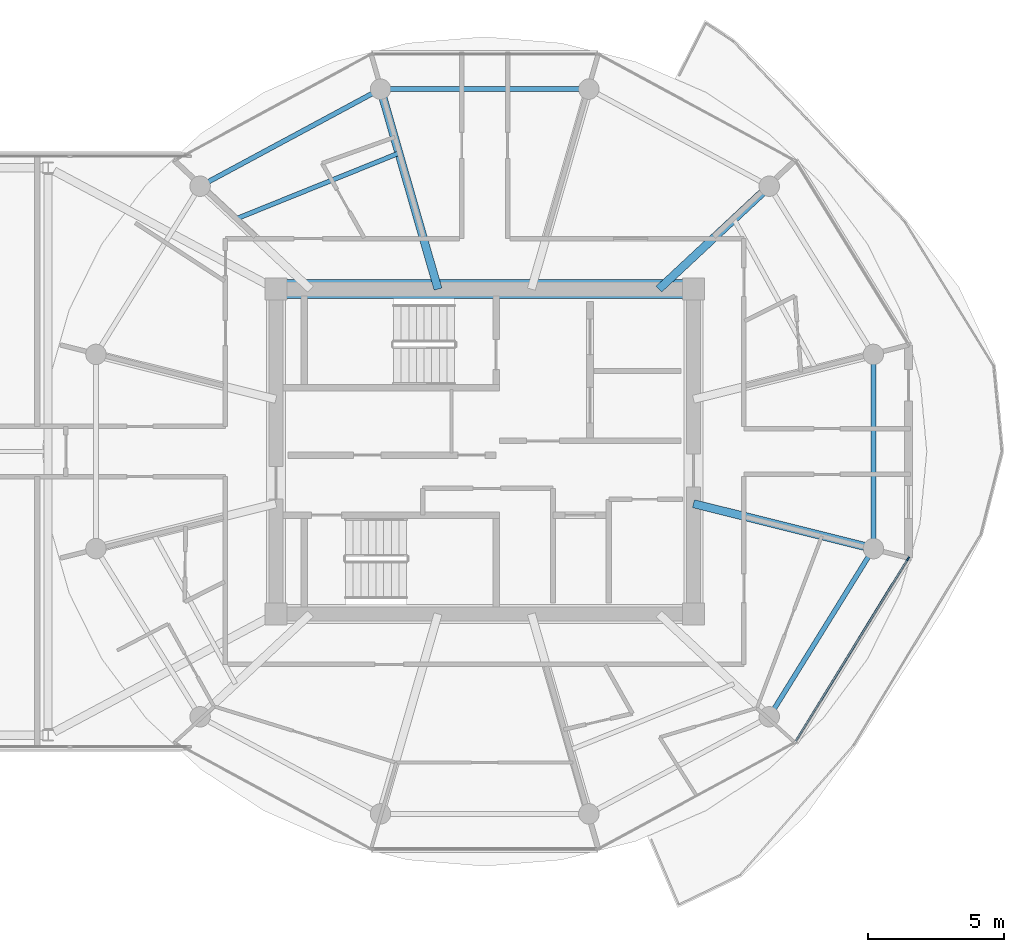
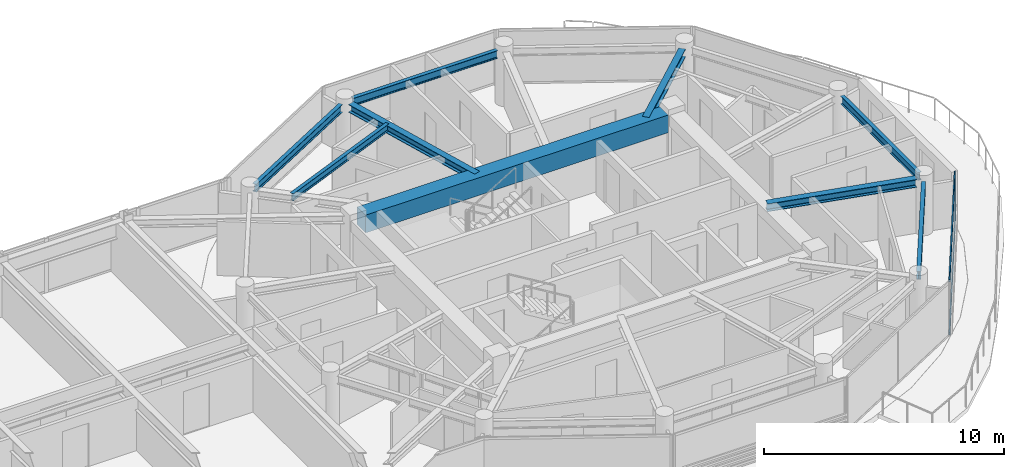
# One storey, part 10 of 24: 9 beams, 3 members, 1 element without a shape of its own.
"""IFC4 building model written with IfcOpenShell, lengths in metres."""

from ifc_helpers import new_model, si_unit, direction, frame, origin, origin_2d, place, context, subcontext, project, spatial, rectangle, i_section, extrude, source, transform, mapped, material, layer, layer_set, material_profile, profile_set, type_object, type_shapes, element, aggregate, save


model = new_model("IFC4")

# Units and contexts
model_context = context("Model", 3, precision=1e-05, world=origin(), true_north=direction((0.0, 1.0)))
body_context = subcontext(model_context, "Body", "Model", "MODEL_VIEW")
ifc_project = project(units=[si_unit("LENGTHUNIT", "METRE"), si_unit("AREAUNIT", "SQUARE_METRE"), si_unit("VOLUMEUNIT", "CUBIC_METRE"), si_unit("PLANEANGLEUNIT", "RADIAN"), si_unit("MASSUNIT", "GRAM", prefix="KILO")], contexts=[model_context])

# Site, building, storey
site_placement = place(None, origin())
site = spatial("IfcSite", under=ifc_project, at=site_placement, CompositionType="ELEMENT")
building_placement = place(site_placement, origin())
building = spatial("IfcBuilding", under=site, at=building_placement, Name="Norrkilde Senior Care Towers", CompositionType="ELEMENT")
storey_placement = place(building_placement, frame((0.0, 0.0, 213.89990234375)))
storey = spatial("IfcBuildingStorey", under=building, at=storey_placement, Name="L66", CompositionType="ELEMENT", Elevation=213.89990234375)

# Beams
ifc_material_1 = material(Name="Concrete C60/75", Category="concrete")
ifc_material_profile_1 = material_profile(ifc_material_1, rectangle(XDim=0.699951171875, YDim=0.89990234375, at=origin_2d()), Name="RC BM 700x900")
ifc_profile_set_1 = profile_set([ifc_material_profile_1], Name="Concrete C60/75")
beam_type_1 = type_object("IfcBeamType", Name="Core Coupling Girder 700x900", PredefinedType="USERDEFINED", material=ifc_profile_set_1)
shared_shape_1 = source(origin(), body_context, "Body", "SweptSolid", [
    extrude(rectangle(XDim=0.699951171875, YDim=0.89990234375, at=origin_2d()), origin(), (0.0, 0.0, 1.0), 14.5400390625),
])
type_shapes(beam_type_1, [shared_shape_1])
beam_1_placement = place(storey_placement, frame((20.72998046875, 5.949951171875, 2.31005859375), z_axis=(1.0, 0.0, 0.0), x_axis=(0.0, 1.0, 0.0)))
element("IfcBeam", 1, at=beam_1_placement, inside=storey, type_object=beam_type_1, Name="L66 Core E N Coupling Girder", ObjectType="GIRDER", PredefinedType="USERDEFINED", context=body_context, shape_type="MappedRepresentation", body=[
    mapped(shared_shape_1, transform((0.0, 0.0, 0.0), x_axis=(1.0, 0.0, 0.0), y_axis=(0.0, 1.0, 0.0), z_axis=(0.0, 0.0, 1.0), scale=1.0)),
])
ifc_material_2 = material(Name="Steel S355", Category="steel")
ifc_material_profile_2 = material_profile(ifc_material_2, i_section(OverallWidth=0.179931640625, OverallDepth=0.39990234375, WebThickness=0.008544921875, FlangeThickness=0.013427734375, FilletRadius=0.02099609375, at=origin_2d()), Name="IPE 400")
ifc_profile_set_2 = profile_set([ifc_material_profile_2], Name="Steel S355")
beam_type_2 = type_object("IfcBeamType", Name="Perimeter Ring Spandrel Z4 IPE400", PredefinedType="SPANDREL", material=ifc_profile_set_2)
shared_shape_2 = source(origin(), body_context, "Body", "SweptSolid", [
    extrude(i_section(OverallWidth=0.179931640625, OverallDepth=0.39990234375, WebThickness=0.008544921875, FlangeThickness=0.013427734375, FilletRadius=0.02099609375, at=origin_2d()), origin(), (0.0, 0.0, 1.0), 6.58056640625),
])
beam_2_placement = place(storey_placement, frame((38.606201171875, -9.43798828125, 2.56005859375), z_axis=(0.526529583789, 0.850156807533, 0.0), x_axis=(-0.850156807533, 0.526529583789, 0.0)))
element("IfcBeam", 2, at=beam_2_placement, inside=storey, type_object=beam_type_2, Name="L66 Drum E Perimeter Spandrel 11", PredefinedType="SPANDREL", context=body_context, shape_type="MappedRepresentation", body=[
    mapped(shared_shape_2, transform((0.0, 0.0, 0.0), x_axis=(1.0, 0.0, 0.0), y_axis=(0.0, 1.0, 0.0), z_axis=(0.0, 0.0, 1.0), scale=1.0)),
])
ifc_material_profile_3 = material_profile(ifc_material_2, i_section(OverallWidth=0.300048828125, OverallDepth=0.39990234375, WebThickness=0.013427734375, FlangeThickness=0.02392578125, FilletRadius=0.027099609375, at=origin_2d()), Name="HEB 400")
ifc_profile_set_3 = profile_set([ifc_material_profile_3], Name="Steel S355")
beam_type_3 = type_object("IfcBeamType", Name="Radial Floor Beam Z4 HEB400", PredefinedType="BEAM", material=ifc_profile_set_3)
shared_shape_3 = source(origin(), body_context, "Body", "SweptSolid", [
    extrude(i_section(OverallWidth=0.300048828125, OverallDepth=0.39990234375, WebThickness=0.013427734375, FlangeThickness=0.02392578125, FilletRadius=0.027099609375, at=origin_2d()), origin(), (0.0, 0.0, 1.0), 6.465087890625),
])
beam_3_placement = place(storey_placement, frame((35.64990234375, -1.910888671875, 2.56005859375), z_axis=(0.970195788563, -0.242322371758, 0.0), x_axis=(0.242322371758, 0.970195788563, 0.0)))
element("IfcBeam", 3, at=beam_3_placement, inside=storey, type_object=beam_type_3, Name="L66 Drum E Radial Floor Beam 12", PredefinedType="BEAM", context=body_context, shape_type="MappedRepresentation", body=[
    mapped(shared_shape_3, transform((0.0, 0.0, 0.0), x_axis=(1.0, 0.0, 0.0), y_axis=(0.0, 1.0, 0.0), z_axis=(0.0, 0.0, 1.0), scale=1.0)),
])
shared_shape_4 = source(origin(), body_context, "Body", "SweptSolid", [
    extrude(i_section(OverallWidth=0.179931640625, OverallDepth=0.39990234375, WebThickness=0.008544921875, FlangeThickness=0.013427734375, FilletRadius=0.02099609375, at=origin_2d()), origin(), (0.0, 0.0, 1.0), 6.839111328125),
])
beam_4_placement = place(storey_placement, frame((23.887451171875, 13.122802734375, 2.56005859375), z_axis=(-0.880563930732, -0.473927382511, 0.0), x_axis=(0.473927382511, -0.880563930732, 0.0)))
element("IfcBeam", 4, at=beam_4_placement, inside=storey, type_object=beam_type_2, Name="L66 Drum E Perimeter Spandrel 04", PredefinedType="SPANDREL", context=body_context, shape_type="MappedRepresentation", body=[
    mapped(shared_shape_4, transform((0.0, 0.0, 0.0), x_axis=(1.0, 0.0, 0.0), y_axis=(0.0, 1.0, 0.0), z_axis=(0.0, 0.0, 1.0), scale=1.0)),
])
shared_shape_5 = source(origin(), body_context, "Body", "SweptSolid", [
    extrude(i_section(OverallWidth=0.300048828125, OverallDepth=0.39990234375, WebThickness=0.013427734375, FlangeThickness=0.02392578125, FilletRadius=0.027099609375, at=origin_2d()), origin(), (0.0, 0.0, 1.0), 5.197998046875),
])
beam_5_placement = place(storey_placement, frame((34.3828125, 5.949951171875, 2.56005859375), z_axis=(0.731448749334, 0.681896419625, 0.0), x_axis=(-0.681896419625, 0.731448749334, 0.0)))
element("IfcBeam", 5, at=beam_5_placement, inside=storey, type_object=beam_type_3, Name="L66 Drum E Radial Floor Beam 02", PredefinedType="BEAM", context=body_context, shape_type="MappedRepresentation", body=[
    mapped(shared_shape_5, transform((0.0, 0.0, 0.0), x_axis=(1.0, 0.0, 0.0), y_axis=(0.0, 1.0, 0.0), z_axis=(0.0, 0.0, 1.0), scale=1.0)),
])
shared_shape_6 = source(origin(), body_context, "Body", "SweptSolid", [
    extrude(i_section(OverallWidth=0.179931640625, OverallDepth=0.39990234375, WebThickness=0.008544921875, FlangeThickness=0.013427734375, FilletRadius=0.02099609375, at=origin_2d()), origin(), (0.0, 0.0, 1.0), 6.96533203125),
])
beam_6_placement = place(storey_placement, frame((31.482666015625, 13.281494140625, 2.56005859375), z_axis=(-1.0, 0.0, 0.0), x_axis=(0.0, -1.0, 0.0)))
element("IfcBeam", 6, at=beam_6_placement, inside=storey, type_object=beam_type_2, Name="L66 Drum E Perimeter Spandrel 03", PredefinedType="SPANDREL", context=body_context, shape_type="MappedRepresentation", body=[
    mapped(shared_shape_6, transform((0.0, 0.0, 0.0), x_axis=(1.0, 0.0, 0.0), y_axis=(0.0, 1.0, 0.0), z_axis=(0.0, 0.0, 1.0), scale=1.0)),
])
shared_shape_7 = source(origin(), body_context, "Body", "SweptSolid", [
    extrude(i_section(OverallWidth=0.300048828125, OverallDepth=0.39990234375, WebThickness=0.013427734375, FlangeThickness=0.02392578125, FilletRadius=0.027099609375, at=origin_2d()), origin(), (0.0, 0.0, 1.0), 7.29345703125),
])
type_shapes(beam_type_3, [shared_shape_3, shared_shape_5, shared_shape_7])
beam_7_placement = place(storey_placement, frame((26.289794921875, 5.949951171875, 2.56005859375), z_axis=(-0.276263751906, 0.961081858836, 0.0), x_axis=(-0.961081858836, -0.276263751906, 0.0)))
element("IfcBeam", 7, at=beam_7_placement, inside=storey, type_object=beam_type_3, Name="L66 Drum E Radial Floor Beam 04", PredefinedType="BEAM", context=body_context, shape_type="MappedRepresentation", body=[
    mapped(shared_shape_7, transform((0.0, 0.0, 0.0), x_axis=(1.0, 0.0, 0.0), y_axis=(0.0, 1.0, 0.0), z_axis=(0.0, 0.0, 1.0), scale=1.0)),
])
shared_shape_8 = source(origin(), body_context, "Body", "SweptSolid", [
    extrude(i_section(OverallWidth=0.179931640625, OverallDepth=0.39990234375, WebThickness=0.008544921875, FlangeThickness=0.013427734375, FilletRadius=0.02099609375, at=origin_2d()), origin(), (0.0, 0.0, 1.0), 6.44775390625),
])
type_shapes(beam_type_2, [shared_shape_2, shared_shape_4, shared_shape_6, shared_shape_8])
beam_8_placement = place(storey_placement, frame((42.247314453125, -3.223876953125, 2.56005859375), z_axis=(0.0, 1.0, 0.0), x_axis=(-1.0, 0.0, 0.0)))
element("IfcBeam", 8, at=beam_8_placement, inside=storey, type_object=beam_type_2, Name="L66 Drum E Perimeter Spandrel 12", PredefinedType="SPANDREL", context=body_context, shape_type="MappedRepresentation", body=[
    mapped(shared_shape_8, transform((0.0, 0.0, 0.0), x_axis=(1.0, 0.0, 0.0), y_axis=(0.0, 1.0, 0.0), z_axis=(0.0, 0.0, 1.0), scale=1.0)),
])
ifc_material_profile_4 = material_profile(ifc_material_2, i_section(OverallWidth=0.169921875, OverallDepth=0.360107421875, WebThickness=0.008056640625, FlangeThickness=0.0126953125, FilletRadius=0.01806640625, at=origin_2d()), Name="IPE 360")
ifc_profile_set_4 = profile_set([ifc_material_profile_4], Name="Steel S355")
beam_type_4 = type_object("IfcBeamType", Name="Secondary Floor Joist IPE360", PredefinedType="JOIST", material=ifc_profile_set_4)
shared_shape_9 = source(origin(), body_context, "Body", "SweptSolid", [
    extrude(i_section(OverallWidth=0.169921875, OverallDepth=0.360107421875, WebThickness=0.008056640625, FlangeThickness=0.0126953125, FilletRadius=0.01806640625, at=origin_2d()), origin(), (0.0, 0.0, 1.0), 6.461669921875),
])
type_shapes(beam_type_4, [shared_shape_9])
beam_9_placement = place(storey_placement, frame((24.856689453125, 10.935302734375, 2.580078125), z_axis=(-0.927225942298, -0.374502405772, 0.0), x_axis=(0.374502405772, -0.927225942298, 0.0)))
element("IfcBeam", 9, at=beam_9_placement, inside=storey, type_object=beam_type_4, Name="L66 Drum E Secondary Floor Joist 2", PredefinedType="JOIST", context=body_context, shape_type="MappedRepresentation", body=[
    mapped(shared_shape_9, transform((0.0, 0.0, 0.0), x_axis=(1.0, 0.0, 0.0), y_axis=(0.0, 1.0, 0.0), z_axis=(0.0, 0.0, 1.0), scale=1.0)),
])

# Curtain wall, members
ifc_material_3 = material(Name="Triple Low-E Insulated Glazing", Category="glass")
ifc_layer = layer(ifc_material_3, 0.18505859375)
ifc_layer_set = layer_set([ifc_layer], Name="Triple Low-E Insulated Glazing")
curtain_wall_type = type_object("IfcCurtainWallType", Name="CW6 Zone 4 Crown Pavilion Curtain Wall", PredefinedType="NOTDEFINED", material=ifc_layer_set)
curtain_wall_placement = place(storey_placement, origin())
curtain_wall = element("IfcCurtainWall", 10, at=curtain_wall_placement, inside=storey, type_object=curtain_wall_type, Name="L66 Drum E Curtain Wall 10", PredefinedType="NOTDEFINED")
ifc_material_4 = material(Name="Anodised Aluminium", Category="aluminium")
ifc_material_profile_5 = material_profile(ifc_material_4, rectangle(XDim=0.06005859375, YDim=0.1201171875, at=origin_2d()), Name="ALU TRAN 60x120")
ifc_profile_set_5 = profile_set([ifc_material_profile_5], Name="Anodised Aluminium")
member_type_1 = type_object("IfcMemberType", Name="Curtain Wall Transom Typical 60x120", PredefinedType="USERDEFINED", material=ifc_profile_set_5)
shared_shape_10 = source(origin(), body_context, "Body", "SweptSolid", [
    extrude(rectangle(XDim=0.06005859375, YDim=0.1201171875, at=origin_2d()), origin(), (0.0, 0.0, 1.0), 7.808837890625),
])
type_shapes(member_type_1, [shared_shape_10])
member_1_placement = place(storey_placement, frame((43.498046875, -3.958251953125, 0.030029296875), z_axis=(-0.524250924101, -0.851563837055, 0.0), x_axis=(0.851563837055, -0.524250924101, 0.0)))
member_1 = element("IfcMember", 11, at=member_1_placement, type_object=member_type_1, Name="CW-6 transom 1.1", ObjectType="TRANSOM", PredefinedType="USERDEFINED", context=body_context, shape_type="MappedRepresentation", body=[
    mapped(shared_shape_10, transform((0.0, 0.0, 0.0), x_axis=(1.0, 0.0, 0.0), y_axis=(0.0, 1.0, 0.0), z_axis=(0.0, 0.0, 1.0), scale=1.0)),
])
member_2_placement = place(storey_placement, frame((43.498046875, -3.958251953125, 2.72998046875), z_axis=(-0.524250924101, -0.851563837055, 0.0), x_axis=(0.851563837055, -0.524250924101, 0.0)))
member_2 = element("IfcMember", 12, at=member_2_placement, type_object=member_type_1, Name="CW-6 transom 1.2", ObjectType="TRANSOM", PredefinedType="USERDEFINED", context=body_context, shape_type="MappedRepresentation", body=[
    mapped(shared_shape_10, transform((0.0, 0.0, 0.0), x_axis=(1.0, 0.0, 0.0), y_axis=(0.0, 1.0, 0.0), z_axis=(0.0, 0.0, 1.0), scale=1.0)),
])
ifc_material_profile_6 = material_profile(ifc_material_4, rectangle(XDim=0.06494140625, YDim=0.14990234375, at=origin_2d()), Name="ALU MULL 65x150")
ifc_profile_set_6 = profile_set([ifc_material_profile_6], Name="Anodised Aluminium")
member_type_2 = type_object("IfcMemberType", Name="Curtain Wall Mullion Z3-Z4 65x150", PredefinedType="MULLION", material=ifc_profile_set_6)
shared_shape_11 = source(origin(), body_context, "Body", "SweptSolid", [
    extrude(rectangle(XDim=0.06494140625, YDim=0.14990234375, at=origin_2d()), origin(), (0.0, 0.0, 1.0), 2.760009765625),
])
type_shapes(member_type_2, [shared_shape_11])
member_3_placement = place(storey_placement, frame((43.51513671875, -3.9306640625, 0.0), z_axis=(0.0, 0.0, 1.0), x_axis=(0.851562727283, -0.524252726748, 0.0)))
member_3 = element("IfcMember", 13, at=member_3_placement, type_object=member_type_2, Name="CW-6 mullion 1", PredefinedType="MULLION", context=body_context, shape_type="MappedRepresentation", body=[
    mapped(shared_shape_11, transform((0.0, 0.0, 0.0), x_axis=(1.0, 0.0, 0.0), y_axis=(0.0, 1.0, 0.0), z_axis=(0.0, 0.0, 1.0), scale=1.0)),
])
aggregate(curtain_wall, [member_3, member_1, member_2])

save(model, "model.ifc")
